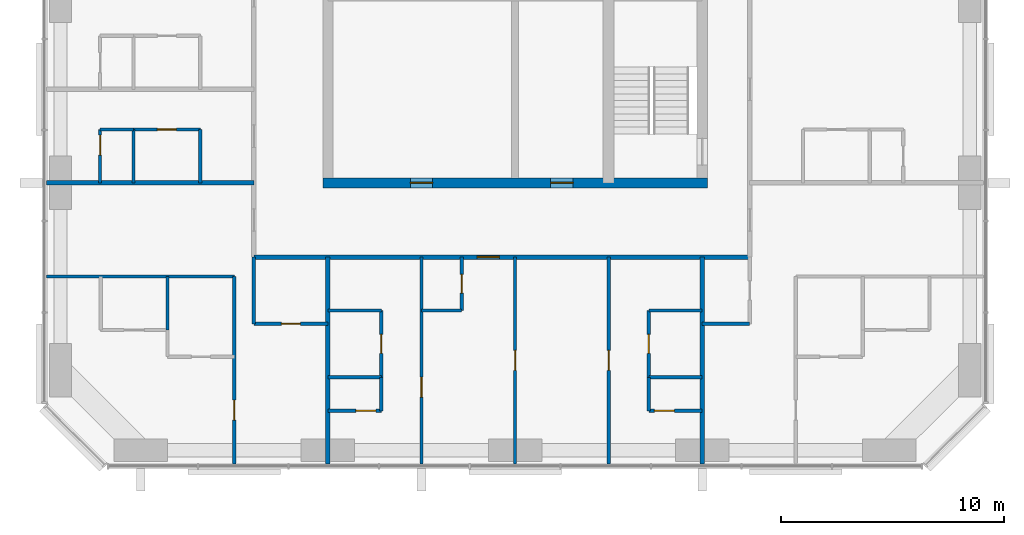
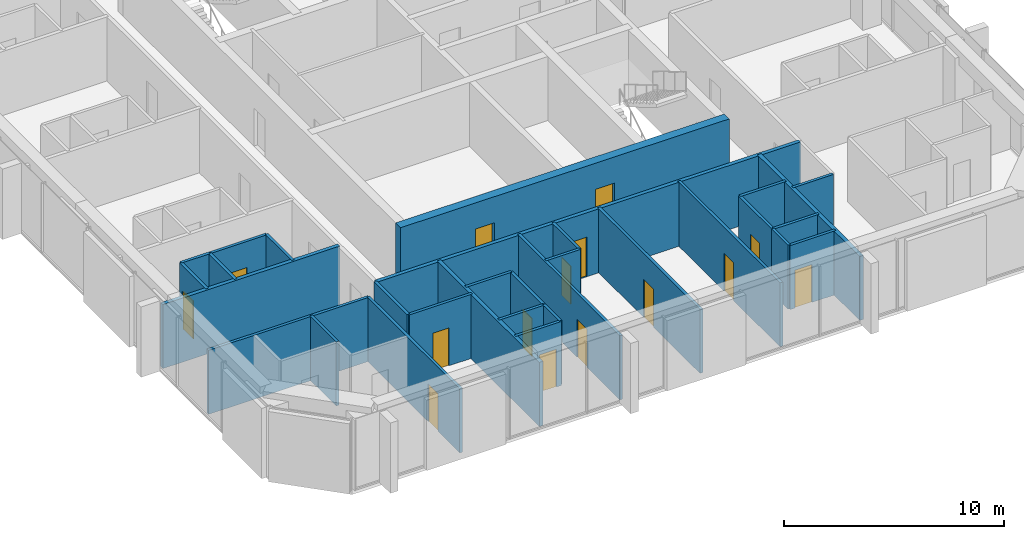
# One storey, part 7 of 13: 31 walls, 15 doors, 15 openings.
"""IFC4 building model written with IfcOpenShell, lengths in metres."""

from ifc_helpers import new_model, si_unit, direction, frame, frame_2d, origin, place, context, subcontext, project, spatial, rectangle, extrude, material, layer, layer_set, type_object, element, fill, save


model = new_model("IFC4")

# Units and contexts
model_context = context("Model", 3, precision=1e-05, world=origin(), true_north=direction((0.0, 1.0)))
body_context = subcontext(model_context, "Body", "Model", "MODEL_VIEW")
ifc_project = project(units=[si_unit("LENGTHUNIT", "METRE"), si_unit("AREAUNIT", "SQUARE_METRE"), si_unit("VOLUMEUNIT", "CUBIC_METRE"), si_unit("PLANEANGLEUNIT", "RADIAN"), si_unit("MASSUNIT", "GRAM", prefix="KILO")], contexts=[model_context])

# Site, building, storey
site_placement = place(None, origin())
site = spatial("IfcSite", under=ifc_project, at=site_placement, CompositionType="ELEMENT")
building_placement = place(site_placement, origin())
building = spatial("IfcBuilding", under=site, at=building_placement, Name="Dunama Terrace Hotel", CompositionType="ELEMENT")
storey_placement = place(building_placement, frame((0.0, 0.0, 276.300048828125)))
storey = spatial("IfcBuildingStorey", under=building, at=storey_placement, Name="L71", CompositionType="ELEMENT", Elevation=276.300048828125)

# Walls
ifc_material_1 = material(Name="Gypsum board partition", Category="masonry")
ifc_layer_1 = layer(ifc_material_1, 0.14990234375)
ifc_layer_set_1 = layer_set([ifc_layer_1], Name="Bathroom partition 150")
wall_type_1 = type_object("IfcWallType", Name="Bathroom partition 150", PredefinedType="PARTITIONING", material=ifc_layer_set_1)
wall_1_placement = place(storey_placement, frame((19.47509765625, 16.800048828125, 0.0), z_axis=(0.0, 0.0, 1.0), x_axis=(0.0, 1.0, 0.0)))
element("IfcWall", 1, at=wall_1_placement, inside=storey, type_object=wall_type_1, Name="Bathroom partition 150 L71", PredefinedType="PARTITIONING", context=body_context, shape_type="SweptSolid", body=[
    extrude(rectangle(XDim=2.39990234375, YDim=0.14990234375, at=frame_2d((1.199951171875, 0.0))), origin(), (0.0, 0.0, 1.0), 3.550048828125),
])
wall_2_placement = place(storey_placement, frame((21.875, 10.47509765625, 0.0), z_axis=(0.0, 0.0, 1.0), x_axis=(0.0, 1.0, 0.0)))
element("IfcWall", 2, at=wall_2_placement, inside=storey, type_object=wall_type_1, Name="Bathroom partition 150 L71", PredefinedType="PARTITIONING", context=body_context, shape_type="SweptSolid", body=[
    extrude(rectangle(XDim=3.0, YDim=0.14990234375, at=frame_2d((1.5, 0.0))), origin(), (0.0, 0.0, 1.0), 3.550048828125),
])

# Wall, opening, door
wall_3_placement = place(storey_placement, frame((27.60009765625, 8.074951171875, 0.0), z_axis=(0.0, 0.0, 1.0), x_axis=(0.0, 1.0, 0.0)))
wall_3 = element("IfcWall", 3, at=wall_3_placement, inside=storey, type_object=wall_type_1, Name="Bathroom partition 150 L71", PredefinedType="PARTITIONING", context=body_context, shape_type="SweptSolid", body=[
    extrude(rectangle(XDim=3.0, YDim=0.14990234375, at=frame_2d((1.5, 0.0))), origin(), (0.0, 0.0, 1.0), 3.550048828125),
])
opening_1_placement = place(wall_3_placement, frame((1.074951171875, 0.0, 0.0)))
opening_1 = element("IfcOpeningElement", 4, at=opening_1_placement, cuts=wall_3, Name="Opening L71-72-010", PredefinedType="OPENING", context=body_context, shape_type="SweptSolid", body=[
    extrude(rectangle(XDim=0.85009765625, YDim=2.10009765625, at=frame_2d((0.425048828125, 1.050048828125))), frame((0.0, 0.0849609375, 0.0), z_axis=(0.0, -1.0, 0.0), x_axis=(1.0, 0.0, 0.0)), (0.0, 0.0, 1.0), 0.169921875),
])
ifc_material_2 = material(Name="Timber door with steel frame", Category="steel")
door_type_1 = type_object("IfcDoorType", Name="Bathroom door 850", OperationType="SINGLE_SWING_LEFT", PredefinedType="DOOR", material=ifc_material_2)
door_1_placement = place(opening_1_placement, origin())
door_1 = element("IfcDoor", 5, at=door_1_placement, inside=storey, type_object=door_type_1, Name="Door to en-suite bathroom L71-72-010, type D2", OperationType="SINGLE_SWING_LEFT", OverallHeight=2.10009765625, OverallWidth=0.85009765625, PredefinedType="DOOR", context=body_context, shape_type="SweptSolid", body=[
    extrude(rectangle(XDim=0.85009765625, YDim=2.10009765625, at=frame_2d((0.425048828125, 1.050048828125))), frame((0.0, 0.02490234375, 0.0), z_axis=(0.0, -1.0, 0.0), x_axis=(1.0, 0.0, 0.0)), (0.0, 0.0, 1.0), 0.050048828125),
])
fill(opening_1, door_1)

wall_4_placement = place(storey_placement, frame((31.199951171875, 11.074951171875, 0.0), z_axis=(0.0, 0.0, 1.0), x_axis=(0.0, 1.0, 0.0)))
wall_4 = element("IfcWall", 6, at=wall_4_placement, inside=storey, type_object=wall_type_1, Name="Bathroom partition 150 L71", PredefinedType="PARTITIONING", context=body_context, shape_type="SweptSolid", body=[
    extrude(rectangle(XDim=2.400146484375, YDim=0.14990234375, at=frame_2d((1.2001953125, 0.0))), origin(), (0.0, 0.0, 1.0), 3.550048828125),
])
opening_2_placement = place(wall_4_placement, frame((0.77490234375, 0.0, 0.0)))
opening_2 = element("IfcOpeningElement", 7, at=opening_2_placement, cuts=wall_4, Name="Opening L71-72-008", PredefinedType="OPENING", context=body_context, shape_type="SweptSolid", body=[
    extrude(rectangle(XDim=0.85009765625, YDim=2.10009765625, at=frame_2d((0.425048828125, 1.050048828125))), frame((0.0, 0.0849609375, 0.0), z_axis=(0.0, -1.0, 0.0), x_axis=(1.0, 0.0, 0.0)), (0.0, 0.0, 1.0), 0.169921875),
])
door_2_placement = place(opening_2_placement, origin())
door_2 = element("IfcDoor", 8, at=door_2_placement, inside=storey, type_object=door_type_1, Name="Door to powder room L71-72-008, type D2", OperationType="SINGLE_SWING_RIGHT", OverallHeight=2.10009765625, OverallWidth=0.85009765625, PredefinedType="DOOR", context=body_context, shape_type="SweptSolid", body=[
    extrude(rectangle(XDim=0.85009765625, YDim=2.10009765625, at=frame_2d((0.425048828125, 1.050048828125))), frame((0.0, 0.02490234375, 0.0), z_axis=(0.0, -1.0, 0.0), x_axis=(1.0, 0.0, 0.0)), (0.0, 0.0, 1.0), 0.050048828125),
])
fill(opening_2, door_2)

wall_5_placement = place(storey_placement, frame((39.60009765625, 8.074951171875, 0.0), z_axis=(0.0, 0.0, 1.0), x_axis=(0.0, 1.0, 0.0)))
wall_5 = element("IfcWall", 9, at=wall_5_placement, inside=storey, type_object=wall_type_1, Name="Bathroom partition 150 L71", PredefinedType="PARTITIONING", context=body_context, shape_type="SweptSolid", body=[
    extrude(rectangle(XDim=3.0, YDim=0.14990234375, at=frame_2d((1.5, 0.0))), origin(), (0.0, 0.0, 1.0), 3.550048828125),
])
opening_3_placement = place(wall_5_placement, frame((1.074951171875, 0.0, 0.0)))
opening_3 = element("IfcOpeningElement", 10, at=opening_3_placement, cuts=wall_5, Name="Opening L71-72-014", PredefinedType="OPENING", context=body_context, shape_type="SweptSolid", body=[
    extrude(rectangle(XDim=0.85009765625, YDim=2.10009765625, at=frame_2d((0.425048828125, 1.050048828125))), frame((0.0, 0.0849609375, 0.0), z_axis=(0.0, -1.0, 0.0), x_axis=(1.0, 0.0, 0.0)), (0.0, 0.0, 1.0), 0.169921875),
])
door_3_placement = place(opening_3_placement, frame((0.85009765625, 0.0, 0.0), z_axis=(0.0, 0.0, 1.0), x_axis=(-1.0, 0.0, 0.0)))
door_3 = element("IfcDoor", 11, at=door_3_placement, inside=storey, type_object=door_type_1, Name="Door to en-suite bathroom L71-72-014, type D2", OperationType="SINGLE_SWING_RIGHT", OverallHeight=2.10009765625, OverallWidth=0.85009765625, PredefinedType="DOOR", context=body_context, shape_type="SweptSolid", body=[
    extrude(rectangle(XDim=0.85009765625, YDim=2.10009765625, at=frame_2d((0.425048828125, 1.050048828125))), frame((0.0, 0.025146484375, 0.0), z_axis=(0.0, -1.0, 0.0), x_axis=(1.0, 0.0, 0.0)), (0.0, 0.0, 1.0), 0.050048828125),
])
fill(opening_3, door_3)

wall_6_placement = place(storey_placement, frame((21.875, 10.47509765625, 0.0), z_axis=(0.0, 0.0, 1.0), x_axis=(1.0, 0.0, 0.0)))
wall_6 = element("IfcWall", 12, at=wall_6_placement, inside=storey, type_object=wall_type_1, Name="Bathroom partition 150 L71", PredefinedType="PARTITIONING", context=body_context, shape_type="SweptSolid", body=[
    extrude(rectangle(XDim=3.324951171875, YDim=0.14990234375, at=frame_2d((1.66259765625, 0.0))), origin(), (0.0, 0.0, 1.0), 3.550048828125),
])
opening_4_placement = place(wall_6_placement, frame((1.238037109375, 0.0, 0.0)))
opening_4 = element("IfcOpeningElement", 13, at=opening_4_placement, cuts=wall_6, Name="Opening L71-72-048", PredefinedType="OPENING", context=body_context, shape_type="SweptSolid", body=[
    extrude(rectangle(XDim=0.85009765625, YDim=2.10009765625, at=frame_2d((0.425048828125, 1.050048828125))), frame((0.0, 0.0849609375, 0.0), z_axis=(0.0, -1.0, 0.0), x_axis=(1.0, 0.0, 0.0)), (0.0, 0.0, 1.0), 0.169921875),
])
door_4_placement = place(opening_4_placement, origin())
door_4 = element("IfcDoor", 14, at=door_4_placement, inside=storey, type_object=door_type_1, Name="Door to powder room L71-72-048, type D2", OperationType="SINGLE_SWING_RIGHT", OverallHeight=2.10009765625, OverallWidth=0.85009765625, PredefinedType="DOOR", context=body_context, shape_type="SweptSolid", body=[
    extrude(rectangle(XDim=0.85009765625, YDim=2.10009765625, at=frame_2d((0.425048828125, 1.050048828125))), frame((0.0, 0.02490234375, 0.0), z_axis=(0.0, -1.0, 0.0), x_axis=(1.0, 0.0, 0.0)), (0.0, 0.0, 1.0), 0.050048828125),
])
fill(opening_4, door_4)

# Walls
wall_7_placement = place(storey_placement, frame((42.0, 10.47509765625, 0.0), z_axis=(0.0, 0.0, 1.0), x_axis=(1.0, 0.0, 0.0)))
element("IfcWall", 15, at=wall_7_placement, inside=storey, type_object=wall_type_1, Name="Bathroom partition 150 L71", PredefinedType="PARTITIONING", context=body_context, shape_type="SweptSolid", body=[
    extrude(rectangle(XDim=2.125, YDim=0.14990234375, at=frame_2d((1.0625, 0.0))), origin(), (0.0, 0.0, 1.0), 3.550048828125),
])
wall_8_placement = place(storey_placement, frame((25.199951171875, 11.074951171875, 0.0), z_axis=(0.0, 0.0, 1.0), x_axis=(1.0, 0.0, 0.0)))
element("IfcWall", 16, at=wall_8_placement, inside=storey, type_object=wall_type_1, Name="Bathroom partition 150 L71", PredefinedType="PARTITIONING", context=body_context, shape_type="SweptSolid", body=[
    extrude(rectangle(XDim=2.400146484375, YDim=0.14990234375, at=frame_2d((1.2001953125, 0.0))), origin(), (0.0, 0.0, 1.0), 3.550048828125),
])
wall_9_placement = place(storey_placement, frame((29.39990234375, 11.074951171875, 0.0), z_axis=(0.0, 0.0, 1.0), x_axis=(1.0, 0.0, 0.0)))
element("IfcWall", 17, at=wall_9_placement, inside=storey, type_object=wall_type_1, Name="Bathroom partition 150 L71", PredefinedType="PARTITIONING", context=body_context, shape_type="SweptSolid", body=[
    extrude(rectangle(XDim=1.800048828125, YDim=0.14990234375, at=frame_2d((0.89990234375, 0.0))), origin(), (0.0, 0.0, 1.0), 3.550048828125),
])
wall_10_placement = place(storey_placement, frame((39.60009765625, 11.074951171875, 0.0), z_axis=(0.0, 0.0, 1.0), x_axis=(1.0, 0.0, 0.0)))
element("IfcWall", 18, at=wall_10_placement, inside=storey, type_object=wall_type_1, Name="Bathroom partition 150 L71", PredefinedType="PARTITIONING", context=body_context, shape_type="SweptSolid", body=[
    extrude(rectangle(XDim=2.39990234375, YDim=0.14990234375, at=frame_2d((1.199951171875, 0.0))), origin(), (0.0, 0.0, 1.0), 3.550048828125),
])

# Wall, opening, door
wall_11_placement = place(storey_placement, frame((16.47509765625, 19.199951171875, 0.0), z_axis=(0.0, 0.0, 1.0), x_axis=(1.0, 0.0, 0.0)))
wall_11 = element("IfcWall", 19, at=wall_11_placement, inside=storey, type_object=wall_type_1, Name="Bathroom partition 150 L71", PredefinedType="PARTITIONING", context=body_context, shape_type="SweptSolid", body=[
    extrude(rectangle(XDim=3.0, YDim=0.14990234375, at=frame_2d((1.5, 0.0))), origin(), (0.0, 0.0, 1.0), 3.550048828125),
])
opening_5_placement = place(wall_11_placement, frame((1.074951171875, 0.0, 0.0)))
opening_5 = element("IfcOpeningElement", 20, at=opening_5_placement, cuts=wall_11, Name="Opening L71-72-036", PredefinedType="OPENING", context=body_context, shape_type="SweptSolid", body=[
    extrude(rectangle(XDim=0.85009765625, YDim=2.10009765625, at=frame_2d((0.425048828125, 1.050048828125))), frame((0.0, 0.0849609375, 0.0), z_axis=(0.0, -1.0, 0.0), x_axis=(1.0, 0.0, 0.0)), (0.0, 0.0, 1.0), 0.169921875),
])
door_5_placement = place(opening_5_placement, frame((0.85009765625, 0.0, 0.0), z_axis=(0.0, 0.0, 1.0), x_axis=(-1.0, 0.0, 0.0)))
door_5 = element("IfcDoor", 21, at=door_5_placement, inside=storey, type_object=door_type_1, Name="Door to en-suite bathroom L71-72-036, type D2", OperationType="SINGLE_SWING_RIGHT", OverallHeight=2.10009765625, OverallWidth=0.85009765625, PredefinedType="DOOR", context=body_context, shape_type="SweptSolid", body=[
    extrude(rectangle(XDim=0.85009765625, YDim=2.10009765625, at=frame_2d((0.425048828125, 1.050048828125))), frame((0.0, 0.025146484375, 0.0), z_axis=(0.0, -1.0, 0.0), x_axis=(1.0, 0.0, 0.0)), (0.0, 0.0, 1.0), 0.050048828125),
])
fill(opening_5, door_5)

# Wall, openings, doors
ifc_material_3 = material(Name="Concrete C50/60", Category="concrete")
ifc_layer_2 = layer(ifc_material_3, 0.449951171875)
ifc_layer_set_2 = layer_set([ifc_layer_2], Name="Core wall 450")
wall_type_2 = type_object("IfcWallType", Name="Core wall 450", PredefinedType="SHEAR", material=ifc_layer_set_2)
wall_12_placement = place(storey_placement, frame((24.97509765625, 16.800048828125, -0.35009765625), z_axis=(0.0, 0.0, 1.0), x_axis=(1.0, 0.0, 0.0)))
wall_12 = element("IfcWall", 22, at=wall_12_placement, inside=storey, type_object=wall_type_2, Name="Core wall south L71", PredefinedType="SHEAR", context=body_context, shape_type="SweptSolid", body=[
    extrude(rectangle(XDim=17.25, YDim=0.449951171875, at=frame_2d((8.625, 0.0))), origin(), (0.0, 0.0, 1.0), 3.900146484375),
])
opening_6_placement = place(wall_12_placement, frame((3.925048828125, 0.0, 0.35009765625)))
opening_6 = element("IfcOpeningElement", 23, at=opening_6_placement, cuts=wall_12, Name="Opening L71-72-076", PredefinedType="OPENING", context=body_context, shape_type="SweptSolid", body=[
    extrude(rectangle(XDim=1.0, YDim=2.10009765625, at=frame_2d((0.5, 1.050048828125))), frame((0.0, 0.23486328125, 0.0), z_axis=(0.0, -1.0, 0.0), x_axis=(1.0, 0.0, 0.0)), (0.0, 0.0, 1.0), 0.469970703125),
])
opening_7_placement = place(wall_12_placement, frame((10.22509765625, 0.0, 0.35009765625)))
opening_7 = element("IfcOpeningElement", 24, at=opening_7_placement, cuts=wall_12, Name="Opening L71-72-077", PredefinedType="OPENING", context=body_context, shape_type="SweptSolid", body=[
    extrude(rectangle(XDim=1.0, YDim=2.10009765625, at=frame_2d((0.5, 1.050048828125))), frame((0.0, 0.23486328125, 0.0), z_axis=(0.0, -1.0, 0.0), x_axis=(1.0, 0.0, 0.0)), (0.0, 0.0, 1.0), 0.469970703125),
])
ifc_material_4 = material(Name="Timber door with steel frame", Category="steel")
door_type_2 = type_object("IfcDoorType", Name="Service door 1000", OperationType="SINGLE_SWING_LEFT", PredefinedType="DOOR", material=ifc_material_4)
door_6_placement = place(opening_6_placement, origin())
door_6 = element("IfcDoor", 25, at=door_6_placement, inside=storey, type_object=door_type_2, Name="Door to corridor air handling room L71-72-076, type D7", OperationType="SINGLE_SWING_LEFT", OverallHeight=2.10009765625, OverallWidth=1.0, PredefinedType="DOOR", context=body_context, shape_type="SweptSolid", body=[
    extrude(rectangle(XDim=1.0, YDim=2.10009765625, at=frame_2d((0.5, 1.050048828125))), frame((0.0, 0.02490234375, 0.0), z_axis=(0.0, -1.0, 0.0), x_axis=(1.0, 0.0, 0.0)), (0.0, 0.0, 1.0), 0.050048828125),
])
fill(opening_6, door_6)
door_7_placement = place(opening_7_placement, origin())
door_7 = element("IfcDoor", 26, at=door_7_placement, inside=storey, type_object=door_type_2, Name="Door to water riser room L71-72-077, type D7", OperationType="SINGLE_SWING_RIGHT", OverallHeight=2.10009765625, OverallWidth=1.0, PredefinedType="DOOR", context=body_context, shape_type="SweptSolid", body=[
    extrude(rectangle(XDim=1.0, YDim=2.10009765625, at=frame_2d((0.5, 1.050048828125))), frame((0.0, 0.02490234375, 0.0), z_axis=(0.0, -1.0, 0.0), x_axis=(1.0, 0.0, 0.0)), (0.0, 0.0, 1.0), 0.050048828125),
])
fill(opening_7, door_7)

# Wall, opening, door
ifc_material_5 = material(Name="Concrete blockwork", Category="masonry")
ifc_layer_3 = layer(ifc_material_5, 0.199951171875)
ifc_layer_set_3 = layer_set([ifc_layer_3], Name="Corridor partition 200")
wall_type_3 = type_object("IfcWallType", Name="Corridor partition 200", PredefinedType="PARTITIONING", material=ifc_layer_set_3)
wall_13_placement = place(storey_placement, frame((44.125, 13.47509765625, 0.0), z_axis=(0.0, 0.0, 1.0), x_axis=(-1.0, 0.0, 0.0)))
wall_13 = element("IfcWall", 27, at=wall_13_placement, inside=storey, type_object=wall_type_3, Name="Corridor partition 200 L71", PredefinedType="PARTITIONING", context=body_context, shape_type="SweptSolid", body=[
    extrude(rectangle(XDim=22.25, YDim=0.199951171875, at=frame_2d((11.125, 0.0))), origin(), (0.0, 0.0, 1.0), 3.550048828125),
])
opening_8_placement = place(wall_13_placement, frame((11.22509765625, 0.0, 0.0)))
opening_8 = element("IfcOpeningElement", 28, at=opening_8_placement, cuts=wall_13, Name="Opening L71-72-007", PredefinedType="OPENING", context=body_context, shape_type="SweptSolid", body=[
    extrude(rectangle(XDim=1.0, YDim=2.199951171875, at=frame_2d((0.5, 1.10009765625))), frame((0.0, 0.10986328125, 0.0), z_axis=(0.0, -1.0, 0.0), x_axis=(1.0, 0.0, 0.0)), (0.0, 0.0, 1.0), 0.219970703125),
])
ifc_material_6 = material(Name="Timber door with steel frame", Category="steel")
door_type_3 = type_object("IfcDoorType", Name="Guest room door 1000", OperationType="SINGLE_SWING_LEFT", PredefinedType="DOOR", material=ifc_material_6)
door_8_placement = place(opening_8_placement, origin())
door_8 = element("IfcDoor", 29, at=door_8_placement, inside=storey, type_object=door_type_3, Name="Door to grand suite living room L71-72-007, type D1", OperationType="SINGLE_SWING_LEFT", OverallHeight=2.199951171875, OverallWidth=1.0, PredefinedType="DOOR", context=body_context, shape_type="SweptSolid", body=[
    extrude(rectangle(XDim=1.0, YDim=2.199951171875, at=frame_2d((0.5, 1.10009765625))), frame((0.0, 0.02490234375, 0.0), z_axis=(0.0, -1.0, 0.0), x_axis=(1.0, 0.0, 0.0)), (0.0, 0.0, 1.0), 0.050048828125),
])
fill(opening_8, door_8)

# Walls
ifc_material_7 = material(Name="Concrete blockwork", Category="masonry")
ifc_layer_4 = layer(ifc_material_7, 0.199951171875)
ifc_layer_set_4 = layer_set([ifc_layer_4], Name="Party wall 200")
wall_type_4 = type_object("IfcWallType", Name="Party wall 200", PredefinedType="PARTITIONING", material=ifc_layer_set_4)
for number, where, z_axis, x_axis, name in (
    (30, (25.199951171875, 4.181884765625, 0.0), (0.0, 0.0, 1.0), (0.0, 1.0, 0.0), "Party wall 200 L71"),
    (31, (42.0, 4.181884765625, 0.0), (0.0, 0.0, 1.0), (0.0, 1.0, 0.0), "Party wall 200 L71"),
):
    element("IfcWall", number, at=place(storey_placement, frame(where, z_axis=z_axis, x_axis=x_axis)), inside=storey, type_object=wall_type_4, Name=name, PredefinedType="PARTITIONING", context=body_context, shape_type="SweptSolid", body=[
        extrude(rectangle(XDim=9.293212890625, YDim=0.199951171875, at=frame_2d((4.646484375, 0.0))), origin(), (0.0, 0.0, 1.0), 3.550048828125),
    ])
wall_14_placement = place(storey_placement, frame((12.58203125, 16.800048828125, 0.0), z_axis=(0.0, 0.0, 1.0), x_axis=(1.0, 0.0, 0.0)))
element("IfcWall", 32, at=wall_14_placement, inside=storey, type_object=wall_type_4, Name="Party wall 200 L71", PredefinedType="PARTITIONING", context=body_context, shape_type="SweptSolid", body=[
    extrude(rectangle(XDim=9.29296875, YDim=0.199951171875, at=frame_2d((4.646484375, 0.0))), origin(), (0.0, 0.0, 1.0), 3.550048828125),
])

# Wall, opening, door
ifc_material_8 = material(Name="Gypsum board partition", Category="masonry")
ifc_layer_5 = layer(ifc_material_8, 0.14990234375)
ifc_layer_set_5 = layer_set([ifc_layer_5], Name="Room partition 150")
wall_type_5 = type_object("IfcWallType", Name="Room partition 150", PredefinedType="PARTITIONING", material=ifc_layer_set_5)
wall_15_placement = place(storey_placement, frame((14.97509765625, 16.800048828125, 0.0), z_axis=(0.0, 0.0, 1.0), x_axis=(0.0, 1.0, 0.0)))
wall_15 = element("IfcWall", 33, at=wall_15_placement, inside=storey, type_object=wall_type_5, Name="Room partition 150 L71", PredefinedType="PARTITIONING", context=body_context, shape_type="SweptSolid", body=[
    extrude(rectangle(XDim=2.39990234375, YDim=0.14990234375, at=frame_2d((1.199951171875, 0.0))), origin(), (0.0, 0.0, 1.0), 3.550048828125),
])
opening_9_placement = place(wall_15_placement, frame((1.25, 0.0, 0.0)))
opening_9 = element("IfcOpeningElement", 34, at=opening_9_placement, cuts=wall_15, Name="Opening L71-72-037", PredefinedType="OPENING", context=body_context, shape_type="SweptSolid", body=[
    extrude(rectangle(XDim=0.89990234375, YDim=2.10009765625, at=frame_2d((0.449951171875, 1.050048828125))), frame((0.0, 0.0849609375, 0.0), z_axis=(0.0, -1.0, 0.0), x_axis=(1.0, 0.0, 0.0)), (0.0, 0.0, 1.0), 0.169921875),
])
ifc_material_9 = material(Name="Timber door with steel frame", Category="steel")
door_type_4 = type_object("IfcDoorType", Name="Suite internal door 900", OperationType="SINGLE_SWING_LEFT", PredefinedType="DOOR", material=ifc_material_9)
door_9_placement = place(opening_9_placement, frame((0.89990234375, 0.0, 0.0), z_axis=(0.0, 0.0, 1.0), x_axis=(-1.0, 0.0, 0.0)))
door_9 = element("IfcDoor", 35, at=door_9_placement, inside=storey, type_object=door_type_4, Name="Door to walk-in wardrobe L71-72-037, type D16", OperationType="SINGLE_SWING_LEFT", OverallHeight=2.10009765625, OverallWidth=0.89990234375, PredefinedType="DOOR", context=body_context, shape_type="SweptSolid", body=[
    extrude(rectangle(XDim=0.89990234375, YDim=2.10009765625, at=frame_2d((0.449951171875, 1.050048828125))), frame((0.0, 0.025146484375, 0.0), z_axis=(0.0, -1.0, 0.0), x_axis=(1.0, 0.0, 0.0)), (0.0, 0.0, 1.0), 0.050048828125),
])
fill(opening_9, door_9)

# Walls
wall_16_placement = place(storey_placement, frame((16.47509765625, 16.800048828125, 0.0), z_axis=(0.0, 0.0, 1.0), x_axis=(0.0, 1.0, 0.0)))
element("IfcWall", 36, at=wall_16_placement, inside=storey, type_object=wall_type_5, Name="Room partition 150 L71", PredefinedType="PARTITIONING", context=body_context, shape_type="SweptSolid", body=[
    extrude(rectangle(XDim=2.39990234375, YDim=0.14990234375, at=frame_2d((1.199951171875, 0.0))), origin(), (0.0, 0.0, 1.0), 3.550048828125),
])
wall_17_placement = place(storey_placement, frame((18.0, 10.199951171875, 0.0), z_axis=(0.0, 0.0, 1.0), x_axis=(0.0, 1.0, 0.0)))
element("IfcWall", 37, at=wall_17_placement, inside=storey, type_object=wall_type_5, Name="Room partition 150 L71", PredefinedType="PARTITIONING", context=body_context, shape_type="SweptSolid", body=[
    extrude(rectangle(XDim=2.400146484375, YDim=0.14990234375, at=frame_2d((1.2001953125, 0.0))), origin(), (0.0, 0.0, 1.0), 3.550048828125),
])

# Wall, opening, door
wall_18_placement = place(storey_placement, frame((21.0, 4.181884765625, 0.0), z_axis=(0.0, 0.0, 1.0), x_axis=(0.0, 1.0, 0.0)))
wall_18 = element("IfcWall", 38, at=wall_18_placement, inside=storey, type_object=wall_type_5, Name="Room partition 150 L71", PredefinedType="PARTITIONING", context=body_context, shape_type="SweptSolid", body=[
    extrude(rectangle(XDim=8.418212890625, YDim=0.14990234375, at=frame_2d((4.208984375, 0.0))), origin(), (0.0, 0.0, 1.0), 3.550048828125),
])
opening_10_placement = place(wall_18_placement, frame((1.968017578125, 0.0, 0.0)))
opening_10 = element("IfcOpeningElement", 39, at=opening_10_placement, cuts=wall_18, Name="Opening L71-72-049", PredefinedType="OPENING", context=body_context, shape_type="SweptSolid", body=[
    extrude(rectangle(XDim=0.89990234375, YDim=2.10009765625, at=frame_2d((0.449951171875, 1.050048828125))), frame((0.0, 0.0849609375, 0.0), z_axis=(0.0, -1.0, 0.0), x_axis=(1.0, 0.0, 0.0)), (0.0, 0.0, 1.0), 0.169921875),
])
door_10_placement = place(opening_10_placement, origin())
door_10 = element("IfcDoor", 40, at=door_10_placement, inside=storey, type_object=door_type_4, Name="Door to grand corner suite bedroom L71-72-049, type D16", OperationType="SINGLE_SWING_RIGHT", OverallHeight=2.10009765625, OverallWidth=0.89990234375, PredefinedType="DOOR", context=body_context, shape_type="SweptSolid", body=[
    extrude(rectangle(XDim=0.89990234375, YDim=2.10009765625, at=frame_2d((0.449951171875, 1.050048828125))), frame((0.0, 0.02490234375, 0.0), z_axis=(0.0, -1.0, 0.0), x_axis=(1.0, 0.0, 0.0)), (0.0, 0.0, 1.0), 0.050048828125),
])
fill(opening_10, door_10)

# Wall
wall_19_placement = place(storey_placement, frame((27.60009765625, 6.574951171875, 0.0), z_axis=(0.0, 0.0, 1.0), x_axis=(0.0, 1.0, 0.0)))
element("IfcWall", 41, at=wall_19_placement, inside=storey, type_object=wall_type_5, Name="Room partition 150 L71", PredefinedType="PARTITIONING", context=body_context, shape_type="SweptSolid", body=[
    extrude(rectangle(XDim=1.5, YDim=0.14990234375, at=frame_2d((0.75, 0.0))), origin(), (0.0, 0.0, 1.0), 3.550048828125),
])

# Wall, opening, door
wall_20_placement = place(storey_placement, frame((29.39990234375, 4.181884765625, 0.0), z_axis=(0.0, 0.0, 1.0), x_axis=(0.0, 1.0, 0.0)))
wall_20 = element("IfcWall", 42, at=wall_20_placement, inside=storey, type_object=wall_type_5, Name="Room partition 150 L71", PredefinedType="PARTITIONING", context=body_context, shape_type="SweptSolid", body=[
    extrude(rectangle(XDim=9.293212890625, YDim=0.14990234375, at=frame_2d((4.646484375, 0.0))), origin(), (0.0, 0.0, 1.0), 3.550048828125),
])
opening_11_placement = place(wall_20_placement, frame((3.0048828125, 0.0, 0.0)))
opening_11 = element("IfcOpeningElement", 43, at=opening_11_placement, cuts=wall_20, Name="Opening L71-72-009", PredefinedType="OPENING", context=body_context, shape_type="SweptSolid", body=[
    extrude(rectangle(XDim=0.89990234375, YDim=2.10009765625, at=frame_2d((0.449951171875, 1.050048828125))), frame((0.0, 0.0849609375, 0.0), z_axis=(0.0, -1.0, 0.0), x_axis=(1.0, 0.0, 0.0)), (0.0, 0.0, 1.0), 0.169921875),
])
door_11_placement = place(opening_11_placement, origin())
door_11 = element("IfcDoor", 44, at=door_11_placement, inside=storey, type_object=door_type_4, Name="Door to grand suite bedroom L71-72-009, type D16", OperationType="SINGLE_SWING_RIGHT", OverallHeight=2.10009765625, OverallWidth=0.89990234375, PredefinedType="DOOR", context=body_context, shape_type="SweptSolid", body=[
    extrude(rectangle(XDim=0.89990234375, YDim=2.10009765625, at=frame_2d((0.449951171875, 1.050048828125))), frame((0.0, 0.02490234375, 0.0), z_axis=(0.0, -1.0, 0.0), x_axis=(1.0, 0.0, 0.0)), (0.0, 0.0, 1.0), 0.050048828125),
])
fill(opening_11, door_11)

wall_21_placement = place(storey_placement, frame((33.60009765625, 4.181884765625, 0.0), z_axis=(0.0, 0.0, 1.0), x_axis=(0.0, 1.0, 0.0)))
wall_21 = element("IfcWall", 45, at=wall_21_placement, inside=storey, type_object=wall_type_5, Name="Room partition 150 L71", PredefinedType="PARTITIONING", context=body_context, shape_type="SweptSolid", body=[
    extrude(rectangle(XDim=9.293212890625, YDim=0.14990234375, at=frame_2d((4.646484375, 0.0))), origin(), (0.0, 0.0, 1.0), 3.550048828125),
])
opening_12_placement = place(wall_21_placement, frame((4.2060546875, 0.0, 0.0)))
opening_12 = element("IfcOpeningElement", 46, at=opening_12_placement, cuts=wall_21, Name="Opening L71-72-012", PredefinedType="OPENING", context=body_context, shape_type="SweptSolid", body=[
    extrude(rectangle(XDim=0.89990234375, YDim=2.10009765625, at=frame_2d((0.449951171875, 1.050048828125))), frame((0.0, 0.0849609375, 0.0), z_axis=(0.0, -1.0, 0.0), x_axis=(1.0, 0.0, 0.0)), (0.0, 0.0, 1.0), 0.169921875),
])
door_12_placement = place(opening_12_placement, origin())
door_12 = element("IfcDoor", 47, at=door_12_placement, inside=storey, type_object=door_type_4, Name="Door to grand suite study L71-72-012, type D16", OperationType="SINGLE_SWING_RIGHT", OverallHeight=2.10009765625, OverallWidth=0.89990234375, PredefinedType="DOOR", context=body_context, shape_type="SweptSolid", body=[
    extrude(rectangle(XDim=0.89990234375, YDim=2.10009765625, at=frame_2d((0.449951171875, 1.050048828125))), frame((0.0, 0.02490234375, 0.0), z_axis=(0.0, -1.0, 0.0), x_axis=(1.0, 0.0, 0.0)), (0.0, 0.0, 1.0), 0.050048828125),
])
fill(opening_12, door_12)

wall_22_placement = place(storey_placement, frame((37.800048828125, 4.181884765625, 0.0), z_axis=(0.0, 0.0, 1.0), x_axis=(0.0, 1.0, 0.0)))
wall_22 = element("IfcWall", 48, at=wall_22_placement, inside=storey, type_object=wall_type_5, Name="Room partition 150 L71", PredefinedType="PARTITIONING", context=body_context, shape_type="SweptSolid", body=[
    extrude(rectangle(XDim=9.293212890625, YDim=0.14990234375, at=frame_2d((4.646484375, 0.0))), origin(), (0.0, 0.0, 1.0), 3.550048828125),
])
opening_13_placement = place(wall_22_placement, frame((4.2060546875, 0.0, 0.0)))
opening_13 = element("IfcOpeningElement", 49, at=opening_13_placement, cuts=wall_22, Name="Opening L71-72-013", PredefinedType="OPENING", context=body_context, shape_type="SweptSolid", body=[
    extrude(rectangle(XDim=0.89990234375, YDim=2.10009765625, at=frame_2d((0.449951171875, 1.050048828125))), frame((0.0, 0.0849609375, 0.0), z_axis=(0.0, -1.0, 0.0), x_axis=(1.0, 0.0, 0.0)), (0.0, 0.0, 1.0), 0.169921875),
])
door_13_placement = place(opening_13_placement, frame((0.89990234375, 0.0, 0.0), z_axis=(0.0, 0.0, 1.0), x_axis=(-1.0, 0.0, 0.0)))
door_13 = element("IfcDoor", 50, at=door_13_placement, inside=storey, type_object=door_type_4, Name="Door to grand suite second bedroom L71-72-013, type D16", OperationType="SINGLE_SWING_RIGHT", OverallHeight=2.10009765625, OverallWidth=0.89990234375, PredefinedType="DOOR", context=body_context, shape_type="SweptSolid", body=[
    extrude(rectangle(XDim=0.89990234375, YDim=2.10009765625, at=frame_2d((0.449951171875, 1.050048828125))), frame((0.0, 0.025146484375, 0.0), z_axis=(0.0, -1.0, 0.0), x_axis=(1.0, 0.0, 0.0)), (0.0, 0.0, 1.0), 0.050048828125),
])
fill(opening_13, door_13)

# Wall
wall_23_placement = place(storey_placement, frame((39.60009765625, 6.574951171875, 0.0), z_axis=(0.0, 0.0, 1.0), x_axis=(0.0, 1.0, 0.0)))
element("IfcWall", 51, at=wall_23_placement, inside=storey, type_object=wall_type_5, Name="Room partition 150 L71", PredefinedType="PARTITIONING", context=body_context, shape_type="SweptSolid", body=[
    extrude(rectangle(XDim=1.5, YDim=0.14990234375, at=frame_2d((0.75, 0.0))), origin(), (0.0, 0.0, 1.0), 3.550048828125),
])

# Wall, opening, door
wall_24_placement = place(storey_placement, frame((25.199951171875, 6.574951171875, 0.0), z_axis=(0.0, 0.0, 1.0), x_axis=(1.0, 0.0, 0.0)))
wall_24 = element("IfcWall", 52, at=wall_24_placement, inside=storey, type_object=wall_type_5, Name="Room partition 150 L71", PredefinedType="PARTITIONING", context=body_context, shape_type="SweptSolid", body=[
    extrude(rectangle(XDim=2.400146484375, YDim=0.14990234375, at=frame_2d((1.2001953125, 0.0))), origin(), (0.0, 0.0, 1.0), 3.550048828125),
])
opening_14_placement = place(wall_24_placement, frame((1.25, 0.0, 0.0)))
opening_14 = element("IfcOpeningElement", 53, at=opening_14_placement, cuts=wall_24, Name="Opening L71-72-011", PredefinedType="OPENING", context=body_context, shape_type="SweptSolid", body=[
    extrude(rectangle(XDim=0.89990234375, YDim=2.10009765625, at=frame_2d((0.449951171875, 1.050048828125))), frame((0.0, 0.0849609375, 0.0), z_axis=(0.0, -1.0, 0.0), x_axis=(1.0, 0.0, 0.0)), (0.0, 0.0, 1.0), 0.169921875),
])
door_14_placement = place(opening_14_placement, origin())
door_14 = element("IfcDoor", 54, at=door_14_placement, inside=storey, type_object=door_type_4, Name="Door to walk-in wardrobe L71-72-011, type D16", OperationType="SINGLE_SWING_RIGHT", OverallHeight=2.10009765625, OverallWidth=0.89990234375, PredefinedType="DOOR", context=body_context, shape_type="SweptSolid", body=[
    extrude(rectangle(XDim=0.89990234375, YDim=2.10009765625, at=frame_2d((0.449951171875, 1.050048828125))), frame((0.0, 0.02490234375, 0.0), z_axis=(0.0, -1.0, 0.0), x_axis=(1.0, 0.0, 0.0)), (0.0, 0.0, 1.0), 0.050048828125),
])
fill(opening_14, door_14)

wall_25_placement = place(storey_placement, frame((39.60009765625, 6.574951171875, 0.0), z_axis=(0.0, 0.0, 1.0), x_axis=(1.0, 0.0, 0.0)))
wall_25 = element("IfcWall", 55, at=wall_25_placement, inside=storey, type_object=wall_type_5, Name="Room partition 150 L71", PredefinedType="PARTITIONING", context=body_context, shape_type="SweptSolid", body=[
    extrude(rectangle(XDim=2.39990234375, YDim=0.14990234375, at=frame_2d((1.199951171875, 0.0))), origin(), (0.0, 0.0, 1.0), 3.550048828125),
])
opening_15_placement = place(wall_25_placement, frame((0.25, 0.0, 0.0)))
opening_15 = element("IfcOpeningElement", 56, at=opening_15_placement, cuts=wall_25, Name="Opening L71-72-015", PredefinedType="OPENING", context=body_context, shape_type="SweptSolid", body=[
    extrude(rectangle(XDim=0.89990234375, YDim=2.10009765625, at=frame_2d((0.449951171875, 1.050048828125))), frame((0.0, 0.0849609375, 0.0), z_axis=(0.0, -1.0, 0.0), x_axis=(1.0, 0.0, 0.0)), (0.0, 0.0, 1.0), 0.169921875),
])
door_15_placement = place(opening_15_placement, origin())
door_15 = element("IfcDoor", 57, at=door_15_placement, inside=storey, type_object=door_type_4, Name="Door to walk-in wardrobe L71-72-015, type D16", OperationType="SINGLE_SWING_LEFT", OverallHeight=2.10009765625, OverallWidth=0.89990234375, PredefinedType="DOOR", context=body_context, shape_type="SweptSolid", body=[
    extrude(rectangle(XDim=0.89990234375, YDim=2.10009765625, at=frame_2d((0.449951171875, 1.050048828125))), frame((0.0, 0.02490234375, 0.0), z_axis=(0.0, -1.0, 0.0), x_axis=(1.0, 0.0, 0.0)), (0.0, 0.0, 1.0), 0.050048828125),
])
fill(opening_15, door_15)

# Walls
wall_26_placement = place(storey_placement, frame((25.199951171875, 8.074951171875, 0.0), z_axis=(0.0, 0.0, 1.0), x_axis=(1.0, 0.0, 0.0)))
element("IfcWall", 58, at=wall_26_placement, inside=storey, type_object=wall_type_5, Name="Room partition 150 L71", PredefinedType="PARTITIONING", context=body_context, shape_type="SweptSolid", body=[
    extrude(rectangle(XDim=2.400146484375, YDim=0.14990234375, at=frame_2d((1.2001953125, 0.0))), origin(), (0.0, 0.0, 1.0), 3.550048828125),
])
wall_27_placement = place(storey_placement, frame((39.60009765625, 8.074951171875, 0.0), z_axis=(0.0, 0.0, 1.0), x_axis=(1.0, 0.0, 0.0)))
element("IfcWall", 59, at=wall_27_placement, inside=storey, type_object=wall_type_5, Name="Room partition 150 L71", PredefinedType="PARTITIONING", context=body_context, shape_type="SweptSolid", body=[
    extrude(rectangle(XDim=2.39990234375, YDim=0.14990234375, at=frame_2d((1.199951171875, 0.0))), origin(), (0.0, 0.0, 1.0), 3.550048828125),
])
wall_28_placement = place(storey_placement, frame((12.58203125, 12.60009765625, 0.0), z_axis=(0.0, 0.0, 1.0), x_axis=(1.0, 0.0, 0.0)))
element("IfcWall", 60, at=wall_28_placement, inside=storey, type_object=wall_type_5, Name="Room partition 150 L71", PredefinedType="PARTITIONING", context=body_context, shape_type="SweptSolid", body=[
    extrude(rectangle(XDim=8.41796875, YDim=0.14990234375, at=frame_2d((4.208984375, 0.0))), origin(), (0.0, 0.0, 1.0), 3.550048828125),
])
wall_29_placement = place(storey_placement, frame((14.97509765625, 19.199951171875, 0.0), z_axis=(0.0, 0.0, 1.0), x_axis=(1.0, 0.0, 0.0)))
element("IfcWall", 61, at=wall_29_placement, inside=storey, type_object=wall_type_5, Name="Room partition 150 L71", PredefinedType="PARTITIONING", context=body_context, shape_type="SweptSolid", body=[
    extrude(rectangle(XDim=1.5, YDim=0.14990234375, at=frame_2d((0.75, 0.0))), origin(), (0.0, 0.0, 1.0), 3.550048828125),
])

save(model, "model.ifc")
